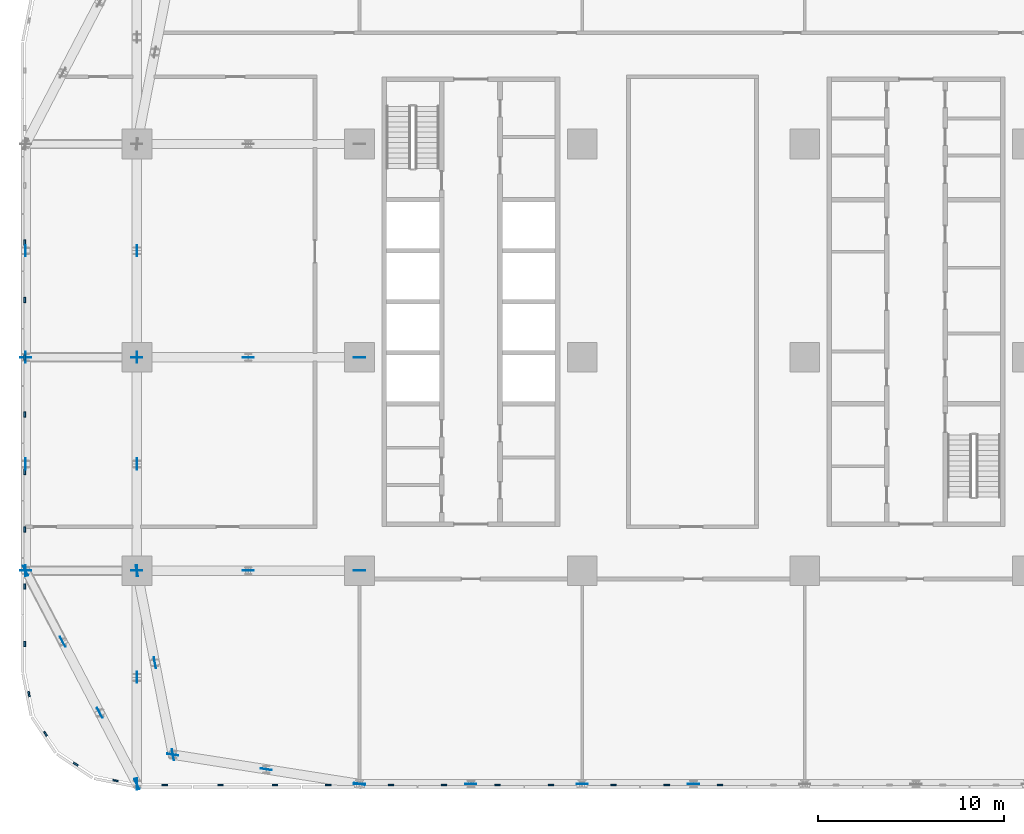
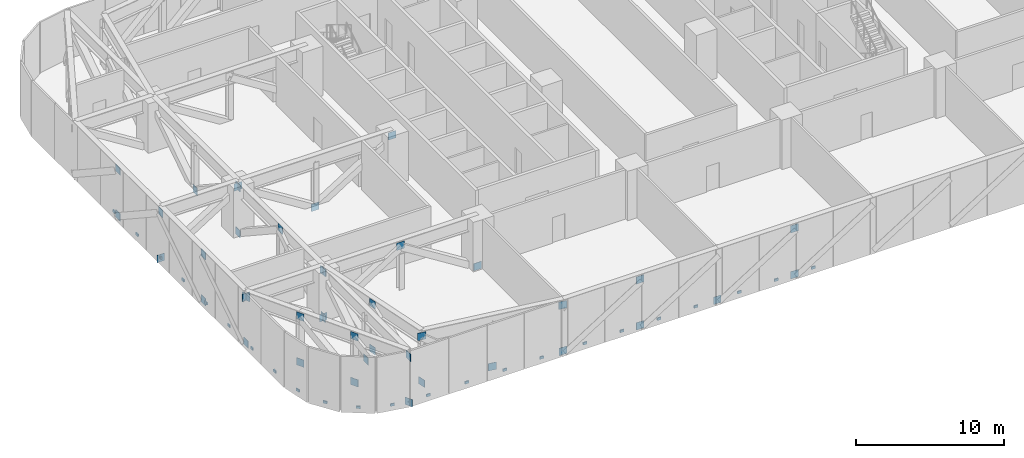
# One storey, part 14 of 25: 64 discrete accessories.
"""IFC4 building model written with IfcOpenShell, lengths in metres."""

from ifc_helpers import new_model, si_unit, direction, frame, origin, origin_2d, place, context, subcontext, project, spatial, rectangle, extrude, material, layer, layer_set, type_object, element, save


model = new_model("IFC4")

# Units and contexts
model_context = context("Model", 3, precision=1e-05, world=origin(), true_north=direction((0.0, 1.0)))
body_context = subcontext(model_context, "Body", "Model", "MODEL_VIEW")
ifc_project = project(units=[si_unit("LENGTHUNIT", "METRE"), si_unit("AREAUNIT", "SQUARE_METRE"), si_unit("VOLUMEUNIT", "CUBIC_METRE"), si_unit("PLANEANGLEUNIT", "RADIAN"), si_unit("MASSUNIT", "GRAM", prefix="KILO")], contexts=[model_context])

# Site, building, storey
site_placement = place(None, origin())
site = spatial("IfcSite", under=ifc_project, at=site_placement, CompositionType="ELEMENT")
building_placement = place(site_placement, origin())
building = spatial("IfcBuilding", under=site, at=building_placement, Name="Mahtab Terrace Research Tower", CompositionType="ELEMENT")
storey_placement = place(building_placement, frame((0.0, 0.0, 41.60009765625)))
storey = spatial("IfcBuildingStorey", under=building, at=storey_placement, Name="L09", CompositionType="ELEMENT", Elevation=41.60009765625)

# Discrete accessories
ifc_material_1 = material(Name="Black anodised aluminium", Category="aluminium")
discrete_accessory_type_1 = type_object("IfcDiscreteAccessoryType", Name="Facade bracket", PredefinedType="BRACKET", material=ifc_material_1)
for number, where, z_axis, x_axis, name in (
    (1, (-48.044921875, 6.181884765625, -0.30029296875), (0.0, 0.0, 1.0), (0.0, -1.0, 0.0), "Louvre bracket L09 60"),
    (2, (-48.044921875, 3.0908203125, -0.30029296875), (0.0, 0.0, 1.0), (0.0, -1.0, 0.0), "Louvre bracket L09 61"),
    (3, (-48.044921875, 0.0, -0.30029296875), (0.0, 0.0, 1.0), (0.0, -1.0, 0.0), "Louvre bracket L09 62"),
    (4, (-48.044921875, -3.0908203125, -0.30029296875), (0.0, 0.0, 1.0), (0.0, -1.0, 0.0), "Louvre bracket L09 63"),
    (5, (-48.044921875, -6.181884765625, -0.30029296875), (0.0, 0.0, 1.0), (0.0, -1.0, 0.0), "Louvre bracket L09 64"),
    (6, (-48.044921875, -9.272705078125, -0.30029296875), (0.0, 0.0, 1.0), (0.0, -1.0, 0.0), "Louvre bracket L09 65"),
    (7, (-48.044921875, -12.363525390625, -0.30029296875), (0.0, 0.0, 1.0), (0.0, -1.0, 0.0), "Louvre bracket L09 66"),
    (8, (-48.044921875, -15.45458984375, -0.30029296875), (0.0, 0.0, 1.0), (0.0, -1.0, 0.0), "Louvre bracket L09 67"),
    (9, (-47.815673828125, -18.15673828125, -0.30029296875), (0.0, 0.0, 1.0), (0.195212442692, -0.980760981187, 0.0), "Louvre bracket L09 68"),
    (10, (-46.930419921875, -20.29443359375, -0.30029296875), (0.0, 0.0, 1.0), (0.555291490808, -0.831655794326, 0.0), "Louvre bracket L09 69"),
    (11, (-45.29443359375, -21.930419921875, -0.30029296875), (0.0, 0.0, 1.0), (0.831655794326, -0.555291490808, 0.0), "Louvre bracket L09 70"),
    (12, (-43.15673828125, -22.815673828125, -0.30029296875), (0.0, 0.0, 1.0), (0.980760981187, -0.195212442692, 0.0), "Louvre bracket L09 71"),
    (13, (-40.5, -23.044921875, -0.30029296875), (0.0, 0.0, 1.0), (1.0, 0.0, 0.0), "Louvre bracket L09 72"),
    (14, (-37.5, -23.044921875, -0.30029296875), (0.0, 0.0, 1.0), (1.0, 0.0, 0.0), "Louvre bracket L09 73"),
    (15, (-34.562255859375, -23.044921875, -0.30029296875), (0.0, 0.0, 1.0), (1.0, 0.0, 0.0), "Louvre bracket L09 74"),
    (16, (-31.686767578125, -23.044921875, -0.30029296875), (0.0, 0.0, 1.0), (1.0, 0.0, 0.0), "Louvre bracket L09 75"),
    (17, (-28.313232421875, -23.044921875, -0.30029296875), (0.0, 0.0, 1.0), (1.0, 0.0, 0.0), "Louvre bracket L09 76"),
    (18, (-25.437744140625, -23.044921875, -0.30029296875), (0.0, 0.0, 1.0), (1.0, 0.0, 0.0), "Louvre bracket L09 77"),
    (19, (-22.562255859375, -23.044921875, -0.30029296875), (0.0, 0.0, 1.0), (1.0, 0.0, 0.0), "Louvre bracket L09 78"),
    (20, (-19.686767578125, -23.044921875, -0.30029296875), (0.0, 0.0, 1.0), (1.0, 0.0, 0.0), "Louvre bracket L09 79"),
    (21, (-16.313232421875, -23.044921875, -0.30029296875), (0.0, 0.0, 1.0), (1.0, 0.0, 0.0), "Louvre bracket L09 80"),
    (22, (-13.437744140625, -23.044921875, -0.30029296875), (0.0, 0.0, 1.0), (1.0, 0.0, 0.0), "Louvre bracket L09 81"),
    (23, (-10.562255859375, -23.044921875, -0.30029296875), (0.0, 0.0, 1.0), (1.0, 0.0, 0.0), "Louvre bracket L09 82"),
):
    element("IfcDiscreteAccessory", number, at=place(storey_placement, frame(where, z_axis=z_axis, x_axis=x_axis)), inside=storey, type_object=discrete_accessory_type_1, Name=name, PredefinedType="BRACKET", context=body_context, shape_type="SweptSolid", body=[
        extrude(rectangle(XDim=0.300048828125, YDim=0.090087890625, at=origin_2d()), origin(), (0.0, 0.0, 1.0), 0.199951171875),
    ])
ifc_material_2 = material(Name="Steel ASTM A992 Gr 50", Category="steel")
ifc_layer = layer(ifc_material_2, 0.030029296875)
ifc_layer_set = layer_set([ifc_layer], Name="Gusset plate 600x600x30")
discrete_accessory_type_2 = type_object("IfcDiscreteAccessoryType", Name="Gusset plate 600x600x30", PredefinedType="USERDEFINED", material=ifc_layer_set)
for number, where, z_axis, x_axis, name in (
    (24, (-48.0, -11.5, 3.201171875), (0.0, 0.0, 1.0), (1.0, 0.0, 0.0), "Gusset plate"),
    (25, (-48.0, 0.0, -0.575927734375), (0.0, 0.0, 1.0), (1.0, 0.0, 0.0), "Gusset plate"),
    (26, (-42.0, -11.5, -0.575927734375), (0.0, 0.0, 1.0), (1.0, 0.0, 0.0), "Gusset plate"),
    (27, (-42.0, 0.0, 3.201171875), (0.0, 0.0, 1.0), (1.0, 0.0, 0.0), "Gusset plate"),
    (28, (-36.0, -11.5, 3.201171875), (0.0, 0.0, 1.0), (1.0, 0.0, 0.0), "Gusset plate"),
    (29, (-36.0, 0.0, -0.575927734375), (0.0, 0.0, 1.0), (1.0, 0.0, 0.0), "Gusset plate"),
    (30, (-30.0, -23.0, -0.575927734375), (0.0, 0.0, 1.0), (1.0, 0.0, 0.0), "Gusset plate"),
    (31, (-30.0, -11.5, -0.575927734375), (0.0, 0.0, 1.0), (1.0, 0.0, 0.0), "Gusset plate"),
    (32, (-30.0, 0.0, 3.201171875), (0.0, 0.0, 1.0), (1.0, 0.0, 0.0), "Gusset plate"),
    (33, (-24.0, -23.0, -0.575927734375), (0.0, 0.0, 1.0), (1.0, 0.0, 0.0), "Gusset plate"),
    (34, (-24.0, -23.0, 3.201171875), (0.0, 0.0, 1.0), (1.0, 0.0, 0.0), "Gusset plate"),
    (35, (-18.0, -23.0, -0.575927734375), (0.0, 0.0, 1.0), (1.0, 0.0, 0.0), "Gusset plate"),
    (36, (-12.0, -23.0, -0.575927734375), (0.0, 0.0, 1.0), (1.0, 0.0, 0.0), "Gusset plate"),
    (37, (-12.0, -23.0, 3.201171875), (0.0, 0.0, 1.0), (1.0, 0.0, 0.0), "Gusset plate"),
    (38, (-48.0, -11.5, -0.575927734375), (0.0, 0.0, 1.0), (0.0, 1.0, 0.0), "Gusset plate"),
    (39, (-48.0, -5.75, -0.575927734375), (0.0, 0.0, 1.0), (0.0, 1.0, 0.0), "Gusset plate"),
    (40, (-48.0, -5.75, 3.201171875), (0.0, 0.0, 1.0), (0.0, 1.0, 0.0), "Gusset plate"),
    (41, (-48.0, 0.0, 3.201171875), (0.0, 0.0, 1.0), (0.0, 1.0, 0.0), "Gusset plate"),
    (42, (-48.0, 5.75, -0.575927734375), (0.0, 0.0, 1.0), (0.0, 1.0, 0.0), "Gusset plate"),
    (43, (-48.0, 5.75, 3.201171875), (0.0, 0.0, 1.0), (0.0, 1.0, 0.0), "Gusset plate"),
    (44, (-42.0, -23.0, 3.201171875), (0.0, 0.0, 1.0), (0.0, 1.0, 0.0), "Gusset plate"),
    (45, (-42.0, -17.25, -0.575927734375), (0.0, 0.0, 1.0), (0.0, 1.0, 0.0), "Gusset plate"),
    (46, (-42.0, -11.5, -0.575927734375), (0.0, 0.0, 1.0), (0.0, 1.0, 0.0), "Gusset plate"),
    (47, (-42.0, -11.5, 3.201171875), (0.0, 0.0, 1.0), (0.0, 1.0, 0.0), "Gusset plate"),
    (48, (-42.0, -5.75, 3.201171875), (0.0, 0.0, 1.0), (0.0, 1.0, 0.0), "Gusset plate"),
    (49, (-42.0, 0.0, -0.575927734375), (0.0, 0.0, 1.0), (0.0, 1.0, 0.0), "Gusset plate"),
    (50, (-42.0, 0.0, 3.201171875), (0.0, 0.0, 1.0), (0.0, 1.0, 0.0), "Gusset plate"),
    (51, (-42.0, 5.75, -0.575927734375), (0.0, 0.0, 1.0), (0.0, 1.0, 0.0), "Gusset plate"),
    (52, (-42.0, -11.5, 3.201171875), (0.0, 0.0, 1.0), (-0.19181971899, 0.981430178569, 0.0), "Gusset plate"),
    (53, (-41.031005859375, -16.4580078125, -0.575927734375), (0.0, 0.0, 1.0), (-0.19181971899, 0.981430178569, 0.0), "Gusset plate"),
    (54, (-41.031005859375, -16.4580078125, 3.201171875), (0.0, 0.0, 1.0), (-0.19181971899, 0.981430178569, 0.0), "Gusset plate"),
    (55, (-40.06201171875, -21.416015625, -0.575927734375), (0.0, 0.0, 1.0), (-0.19181971899, 0.981430178569, 0.0), "Gusset plate"),
    (56, (-48.0, -11.5, 3.201171875), (0.0, 0.0, 1.0), (-0.462599869636, 0.886567177721, 0.0), "Gusset plate"),
    (57, (-46.0, -15.3330078125, -0.575927734375), (0.0, 0.0, 1.0), (-0.462599869636, 0.886567177721, 0.0), "Gusset plate"),
    (58, (-46.0, -15.3330078125, 3.201171875), (0.0, 0.0, 1.0), (-0.462507026002, 0.886615616205, 0.0), "Gusset plate"),
    (59, (-44.0, -19.1669921875, -0.575927734375), (0.0, 0.0, 1.0), (-0.462507026002, 0.886615616205, 0.0), "Gusset plate"),
    (60, (-44.0, -19.1669921875, 3.201171875), (0.0, 0.0, 1.0), (-0.462599869636, 0.886567177721, 0.0), "Gusset plate"),
    (61, (-42.0, -23.0, -0.575927734375), (0.0, 0.0, 1.0), (-0.462599869636, 0.886567177721, 0.0), "Gusset plate"),
    (62, (-40.06201171875, -21.416015625, 3.201171875), (0.0, 0.0, 1.0), (-0.987835337919, 0.15550352137, 0.0), "Gusset plate"),
    (63, (-35.031005859375, -22.2080078125, -0.575927734375), (0.0, 0.0, 1.0), (-0.987835337919, 0.15550352137, 0.0), "Gusset plate"),
    (64, (-30.0, -23.0, 3.201171875), (0.0, 0.0, 1.0), (-0.987835337919, 0.15550352137, 0.0), "Gusset plate"),
):
    element("IfcDiscreteAccessory", number, at=place(storey_placement, frame(where, z_axis=z_axis, x_axis=x_axis)), inside=storey, type_object=discrete_accessory_type_2, Name=name, ObjectType="GUSSET PLATE", PredefinedType="USERDEFINED", context=body_context, shape_type="SweptSolid", body=[
        extrude(rectangle(XDim=0.60009765625, YDim=0.030029296875, at=origin_2d()), origin(), (0.0, 0.0, 1.0), 0.60009765625),
    ])

save(model, "model.ifc")
